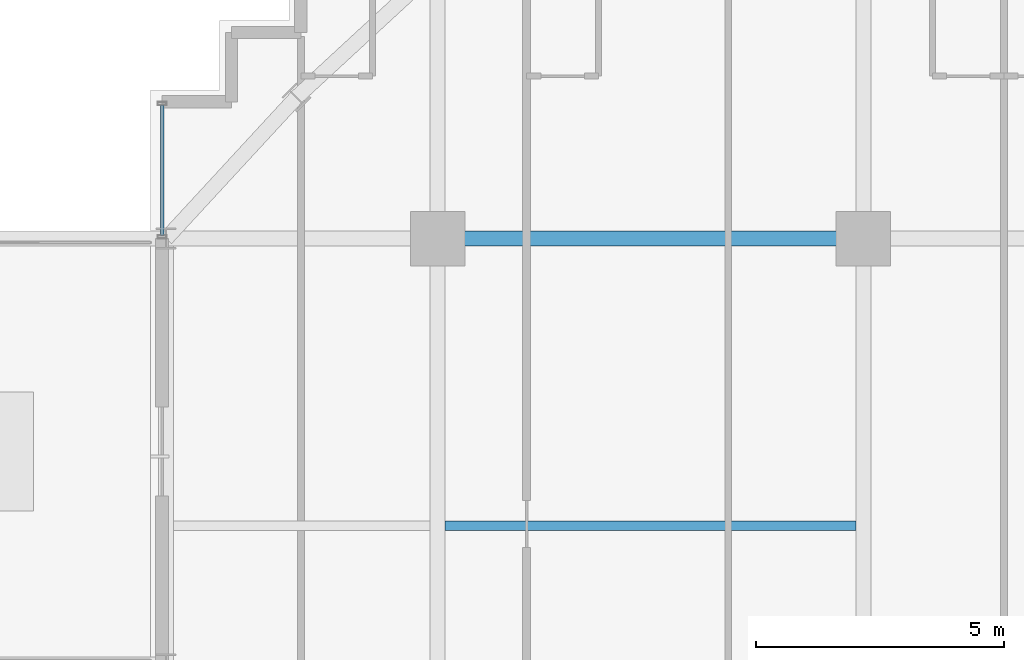
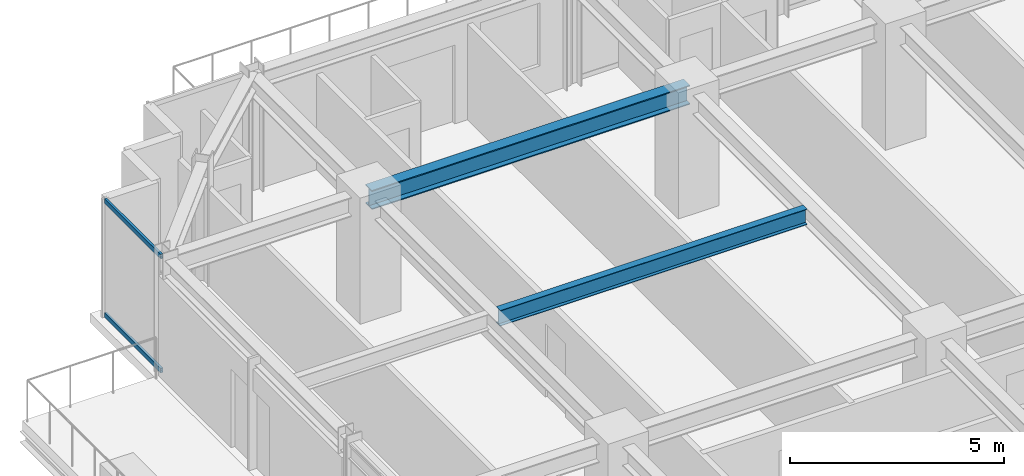
# One storey, part 16 of 32: 2 beams, 2 members, 1 element without a shape of its own.
"""IFC4 building model written with IfcOpenShell, lengths in metres."""

from ifc_helpers import new_model, si_unit, direction, frame, origin, origin_2d, place, context, subcontext, project, spatial, hollow_rectangle, i_section, extrude, source, transform, mapped, material, material_profile, profile_set, type_object, element, aggregate, save


model = new_model("IFC4")

# Units and contexts
model_context = context("Model", 3, precision=1e-05, world=origin(), true_north=direction((0.0, 1.0)))
body_context = subcontext(model_context, "Body", "Model", "MODEL_VIEW")
ifc_project = project(units=[si_unit("LENGTHUNIT", "METRE"), si_unit("AREAUNIT", "SQUARE_METRE"), si_unit("VOLUMEUNIT", "CUBIC_METRE"), si_unit("PLANEANGLEUNIT", "RADIAN"), si_unit("MASSUNIT", "GRAM", prefix="KILO")], contexts=[model_context])

# Site, building, storey
site_placement = place(None, origin())
site = spatial("IfcSite", under=ifc_project, at=site_placement, CompositionType="ELEMENT")
building_placement = place(site_placement, origin())
building = spatial("IfcBuilding", under=site, at=building_placement, Name="Nahalor Promenade Grand Hotel", CompositionType="ELEMENT")
storey_placement = place(building_placement, frame((0.0, 0.0, 152.64990234375)))
storey = spatial("IfcBuildingStorey", under=building, at=storey_placement, Name="L38", CompositionType="ELEMENT", Elevation=152.64990234375)

# Beams
ifc_material_1 = material(Name="Steel S355JR", Category="steel")
ifc_material_profile_1 = material_profile(ifc_material_1, i_section(OverallWidth=0.3, OverallDepth=0.55, WebThickness=0.015, FlangeThickness=0.029, at=origin_2d()), Name="HEB 550")
ifc_profile_set_1 = profile_set([ifc_material_profile_1], Name="Steel S355JR")
beam_type_1 = type_object("IfcBeamType", Name="Beam-Girder-HEB550", PredefinedType="BEAM", material=ifc_profile_set_1)
shared_shape_1 = source(origin(), body_context, "Body", "SweptSolid", [
    extrude(i_section(OverallWidth=0.3, OverallDepth=0.55, WebThickness=0.015, FlangeThickness=0.029, at=origin_2d()), origin(), (0.0, 0.0, 1.0), 8.60009765625),
])
beam_1_placement = place(storey_placement, frame((-17.0, 17.0, 3.114990234375), z_axis=(1.0, 0.0, 0.0), x_axis=(0.0, 1.0, 0.0)))
element("IfcBeam", 1, at=beam_1_placement, inside=storey, type_object=beam_type_1, Name="BM-L38-GX-3-1", PredefinedType="BEAM", context=body_context, shape_type="MappedRepresentation", body=[
    mapped(shared_shape_1, transform((0.0, 0.0, 0.0), scale=1.0)),
])
ifc_material_profile_2 = material_profile(ifc_material_1, i_section(OverallWidth=0.19, OverallDepth=0.45, WebThickness=0.0094, FlangeThickness=0.0146, at=origin_2d()), Name="IPE 450")
ifc_profile_set_2 = profile_set([ifc_material_profile_2], Name="Steel S355JR")
beam_type_2 = type_object("IfcBeamType", Name="Beam-Joist-IPE450", PredefinedType="JOIST", material=ifc_profile_set_2)
shared_shape_2 = source(origin(), body_context, "Body", "SweptSolid", [
    extrude(i_section(OverallWidth=0.19, OverallDepth=0.45, WebThickness=0.0094, FlangeThickness=0.0146, at=origin_2d()), origin(), (0.0, 0.0, 1.0), 8.300048828125),
])
beam_2_placement = place(storey_placement, frame((-16.85009765625, 11.199951171875, 3.1650390625), z_axis=(1.0, 0.0, 0.0), x_axis=(0.0, 1.0, 0.0)))
element("IfcBeam", 2, at=beam_2_placement, inside=storey, type_object=beam_type_2, Name="BM-L38-JSW-1-1", PredefinedType="JOIST", context=body_context, shape_type="MappedRepresentation", body=[
    mapped(shared_shape_2, transform((0.0, 0.0, 0.0), scale=1.0)),
])

# Curtain wall, members
ifc_material_2 = material(Name="Anodised Bronze Aluminium EN AW-6063 T6", Category="aluminium")
curtain_wall_type = type_object("IfcCurtainWallType", Name="CW2 Typical Hotel Flush Bronze Unitised Curtain Wall", PredefinedType="USERDEFINED", material=ifc_material_2)
curtain_wall_placement = place(storey_placement, origin())
curtain_wall = element("IfcCurtainWall", 3, at=curtain_wall_placement, inside=storey, type_object=curtain_wall_type, Name="L38 Curtain Wall CW-L38-W-3", ObjectType="UNITISED_CURTAIN_WALL", PredefinedType="USERDEFINED")
ifc_material_profile_3 = material_profile(ifc_material_2, hollow_rectangle(XDim=0.065, YDim=0.13, WallThickness=0.004, at=origin_2d()), Name="CWT 65x130x4")
ifc_profile_set_3 = profile_set([ifc_material_profile_3], Name="Anodised Bronze Aluminium EN AW-6063 T6")
member_type = type_object("IfcMemberType", Name="CWT2 Typical Bronze Transom 65x130", PredefinedType="USERDEFINED", material=ifc_profile_set_3)
shared_shape_3 = source(origin(), body_context, "Body", "SweptSolid", [
    extrude(hollow_rectangle(XDim=0.065, YDim=0.13, WallThickness=0.004, at=origin_2d()), origin(), (0.0, 0.0, 1.0), 2.630126953125),
])
member_1_placement = place(storey_placement, frame((-22.56005859375, 17.06494140625, 0.065185546875), z_axis=(0.0, 1.0, 0.0), x_axis=(-1.0, 0.0, 0.0)))
member_1 = element("IfcMember", 4, at=member_1_placement, type_object=member_type, Name="CW-L38-W-3 Transom 0-0", ObjectType="TRANSOM", PredefinedType="USERDEFINED", context=body_context, shape_type="MappedRepresentation", body=[
    mapped(shared_shape_3, transform((0.0, 0.0, 0.0), scale=1.0)),
])
member_2_placement = place(storey_placement, frame((-22.56005859375, 17.06494140625, 3.3251953125), z_axis=(0.0, 1.0, 0.0), x_axis=(-1.0, 0.0, 0.0)))
member_2 = element("IfcMember", 5, at=member_2_placement, type_object=member_type, Name="CW-L38-W-3 Transom 0-1", ObjectType="TRANSOM", PredefinedType="USERDEFINED", context=body_context, shape_type="MappedRepresentation", body=[
    mapped(shared_shape_3, transform((0.0, 0.0, 0.0), scale=1.0)),
])
aggregate(curtain_wall, [member_1, member_2])

save(model, "model.ifc")
